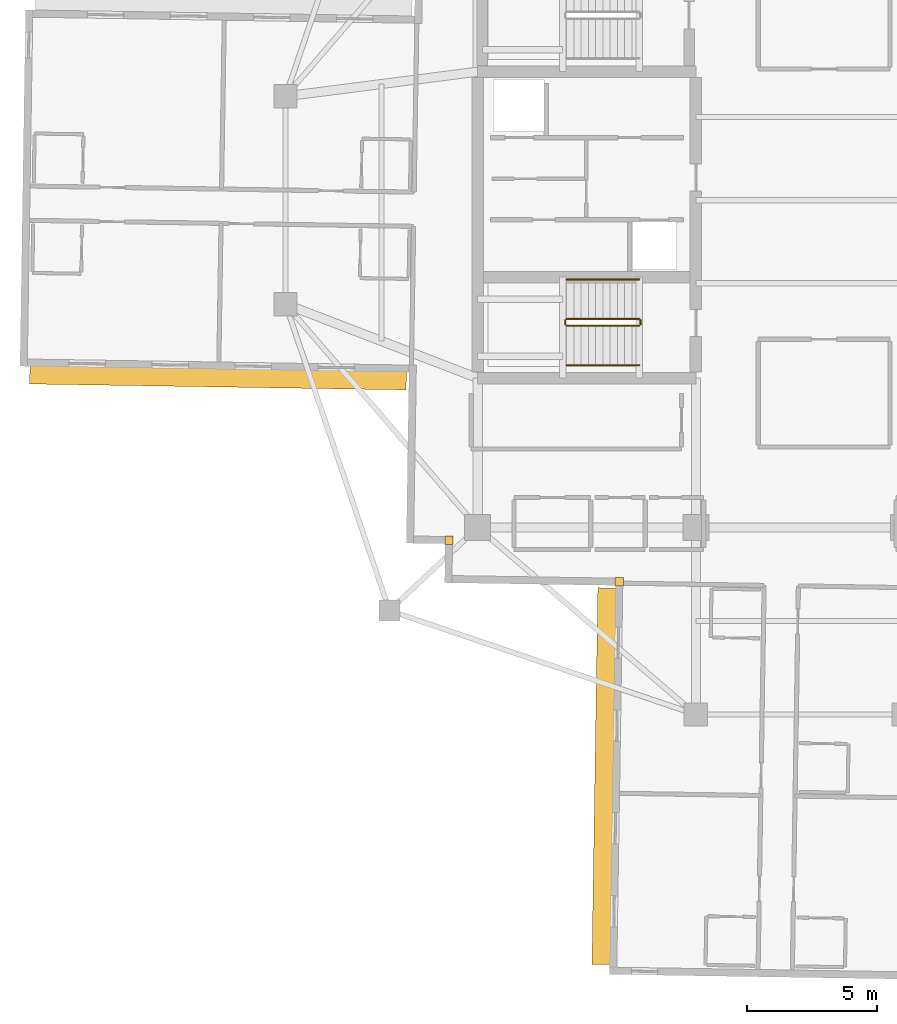
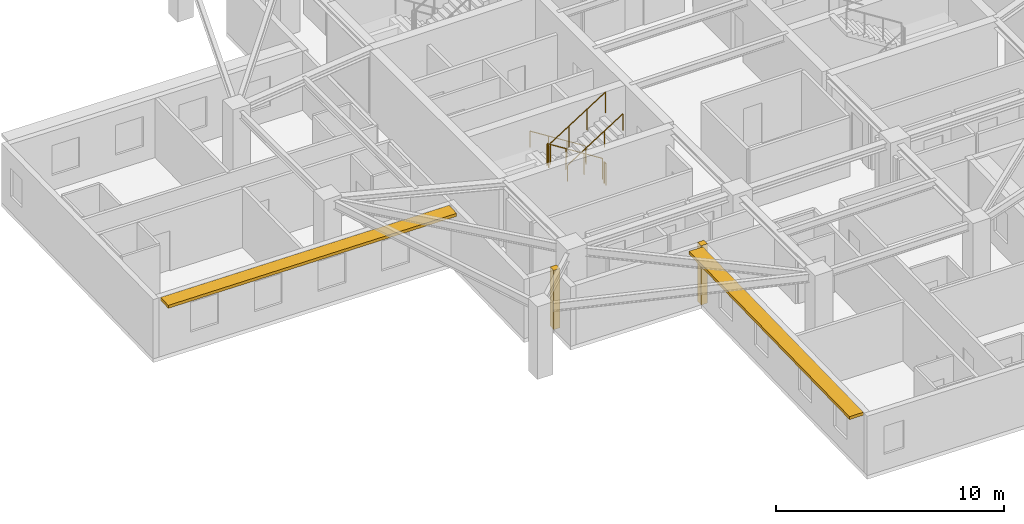
# One storey, part 10 of 13: 6 railings, 2 coverings, 2 shading devices.
"""IFC4 building model written with IfcOpenShell, lengths in metres."""

from ifc_helpers import new_model, si_unit, direction, frame, origin, origin_2d, place, context, subcontext, project, spatial, rectangle, circle, extrude, material, layer, layer_set, type_object, element, save


model = new_model("IFC4")

# Units and contexts
model_context = context("Model", 3, precision=1e-05, world=origin(), true_north=direction((0.0, 1.0)))
body_context = subcontext(model_context, "Body", "Model", "MODEL_VIEW")
ifc_project = project(units=[si_unit("LENGTHUNIT", "METRE"), si_unit("AREAUNIT", "SQUARE_METRE"), si_unit("VOLUMEUNIT", "CUBIC_METRE"), si_unit("PLANEANGLEUNIT", "RADIAN"), si_unit("MASSUNIT", "GRAM", prefix="KILO")], contexts=[model_context])

# Site, building, storey
site_placement = place(None, origin())
site = spatial("IfcSite", under=ifc_project, at=site_placement, CompositionType="ELEMENT")
building_placement = place(site_placement, origin())
building = spatial("IfcBuilding", under=site, at=building_placement, Name="Qingluan Cross Belvedere", CompositionType="ELEMENT")
storey_placement = place(building_placement, frame((0.0, 0.0, 228.60009765625)))
storey = spatial("IfcBuildingStorey", under=building, at=storey_placement, Name="L57", CompositionType="ELEMENT", Elevation=228.60009765625)

# Coverings
ifc_material_1 = material(Name="Precast concrete C45", Category="concrete")
ifc_layer_1 = layer(ifc_material_1, 0.1201171875, Name="ConcreteSpandrelCladding_120")
ifc_layer_set_1 = layer_set([ifc_layer_1], Name="Precast concrete C45")
covering_type = type_object("IfcCoveringType", Name="ConcreteSpandrelCladding_120", PredefinedType="CLADDING", material=ifc_layer_set_1)
for number, where, z_axis, x_axis, name in (
    (1, (-13.50732421875, -13.089599609375, 0.0), (0.0, 0.0, 1.0), (0.999876632482, -0.015707317312, 0.0), "Corner closure L57-SW1"),
    (2, (-6.95166015625, -14.692626953125, 0.0), (0.0, 0.0, 1.0), (0.999876632482, -0.015707317312, 0.0), "Corner closure L57-SW2"),
):
    element("IfcCovering", number, at=place(storey_placement, frame(where, z_axis=z_axis, x_axis=x_axis)), inside=storey, type_object=covering_type, Name=name, PredefinedType="CLADDING", context=body_context, shape_type="SweptSolid", body=[
        extrude(rectangle(XDim=0.320068359375, YDim=0.320068359375, at=origin_2d()), origin(), (0.0, 0.0, 1.0), 3.179931640625),
    ])

# Shading devices
ifc_material_2 = material(Name="Precast concrete C45", Category="concrete")
ifc_layer_2 = layer(ifc_material_2, 0.139892578125, Name="ConcreteSunshadeBand_700")
ifc_layer_set_2 = layer_set([ifc_layer_2], Name="Precast concrete C45")
shading_device_type = type_object("IfcShadingDeviceType", Name="ConcreteSunshadeBand_700", PredefinedType="USERDEFINED", material=ifc_layer_set_2)
for number, where, z_axis, x_axis, name in (
    (3, (-22.400146484375, -6.839111328125, 3.0), (0.0, 0.0, 1.0), (0.999876630106, -0.015707468526, 0.0), "Concrete SUNSHADE L57-WB"),
    (4, (-7.539306640625, -22.17431640625, 3.0), (0.0, 0.0, 1.0), (-0.015707468526, -0.999876630106, 0.0), "Concrete SUNSHADE L57-SA"),
):
    element("IfcShadingDevice", number, at=place(storey_placement, frame(where, z_axis=z_axis, x_axis=x_axis)), inside=storey, type_object=shading_device_type, Name=name, ObjectType="SUNSHADE", PredefinedType="USERDEFINED", context=body_context, shape_type="SweptSolid", body=[
        extrude(rectangle(XDim=14.5, YDim=0.699951171875, at=origin_2d()), origin(), (0.0, 0.0, 1.0), 0.159912109375),
    ])

# Railings
ifc_material_3 = material(Name="Brushed stainless steel tubular handrail", Category="steel")
railing_type_1 = type_object("IfcRailingType", Name="StairPitchHandrail_900", PredefinedType="HANDRAIL", material=ifc_material_3)
railing_1_placement = place(storey_placement, frame((-6.179931640625, -3.050048828125, 0.17724609375)))
element("IfcRailing", 5, at=railing_1_placement, inside=storey, type_object=railing_type_1, Name="L57 ST1 stair handrail 1", PredefinedType="HANDRAIL", context=body_context, shape_type="SweptSolid", body=[
    extrude(circle(Radius=0.02392578125, at=origin_2d()), frame((0.0, 0.0, 0.8759765625), z_axis=(-0.844908973607, 0.0, 0.534910110503), x_axis=(0.0, -1.0, 0.0)), (0.0, 0.0, 1.0), 3.31396484375),
    extrude(circle(Radius=0.02099609375, at=origin_2d()), origin(), (0.0, 0.0, 1.0), 0.851806640625),
    extrude(circle(Radius=0.02099609375, at=origin_2d()), frame((-0.933349609375, 0.0, 0.5908203125)), (0.0, 0.0, 1.0), 0.851806640625),
    extrude(circle(Radius=0.02099609375, at=origin_2d()), frame((-1.86669921875, 0.0, 1.181884765625)), (0.0, 0.0, 1.0), 0.851806640625),
    extrude(circle(Radius=0.02099609375, at=origin_2d()), frame((-2.800048828125, 0.0, 1.772705078125)), (0.0, 0.0, 1.0), 0.851806640625),
])
railing_2_placement = place(storey_placement, frame((-8.97998046875, -6.35009765625, 2.127197265625)))
element("IfcRailing", 6, at=railing_2_placement, inside=storey, type_object=railing_type_1, Name="L57 ST1 stair handrail 2", PredefinedType="HANDRAIL", context=body_context, shape_type="SweptSolid", body=[
    extrude(circle(Radius=0.02392578125, at=origin_2d()), frame((0.0, 0.0, 0.8759765625), z_axis=(0.844908973607, 0.0, 0.534910110503), x_axis=(0.0, 1.0, 0.0)), (0.0, 0.0, 1.0), 3.31396484375),
    extrude(circle(Radius=0.02099609375, at=origin_2d()), origin(), (0.0, 0.0, 1.0), 0.851806640625),
    extrude(circle(Radius=0.02099609375, at=origin_2d()), frame((0.933349609375, 0.0, 0.5908203125)), (0.0, 0.0, 1.0), 0.851806640625),
    extrude(circle(Radius=0.02099609375, at=origin_2d()), frame((1.86669921875, 0.0, 1.181884765625)), (0.0, 0.0, 1.0), 0.851806640625),
    extrude(circle(Radius=0.02099609375, at=origin_2d()), frame((2.800048828125, 0.0, 1.772705078125)), (0.0, 0.0, 1.0), 0.851806640625),
])
ifc_material_4 = material(Name="Painted steel stair well guard", Category="steel")
railing_type_2 = type_object("IfcRailingType", Name="StairWellGuard_1150", PredefinedType="BALUSTRADE", material=ifc_material_4)
railing_3_placement = place(storey_placement, frame((-6.179931640625, -4.570068359375, 0.17724609375)))
element("IfcRailing", 7, at=railing_3_placement, inside=storey, type_object=railing_type_2, Name="L57 ST1 stair guard 1", PredefinedType="BALUSTRADE", context=body_context, shape_type="SweptSolid", body=[
    extrude(circle(Radius=0.02392578125, at=origin_2d()), frame((0.0, 0.0, 1.1259765625), z_axis=(-0.844908973607, 0.0, 0.534910110503), x_axis=(0.0, -1.0, 0.0)), (0.0, 0.0, 1.0), 3.31396484375),
    extrude(circle(Radius=0.02099609375, at=origin_2d()), origin(), (0.0, 0.0, 1.0), 1.101806640625),
    extrude(circle(Radius=0.02099609375, at=origin_2d()), frame((-0.933349609375, 0.0, 0.5908203125)), (0.0, 0.0, 1.0), 1.101806640625),
    extrude(circle(Radius=0.02099609375, at=origin_2d()), frame((-1.86669921875, 0.0, 1.181884765625)), (0.0, 0.0, 1.0), 1.101806640625),
    extrude(circle(Radius=0.02099609375, at=origin_2d()), frame((-2.800048828125, 0.0, 1.772705078125)), (0.0, 0.0, 1.0), 1.101806640625),
])
railing_4_placement = place(storey_placement, frame((-9.030029296875, -4.6201171875, 1.949951171875)))
element("IfcRailing", 8, at=railing_4_placement, inside=storey, type_object=railing_type_2, Name="L57 ST1 stair guard 2", PredefinedType="BALUSTRADE", context=body_context, shape_type="SweptSolid", body=[
    extrude(circle(Radius=0.02392578125, at=origin_2d()), frame((0.0, 0.0, 1.1259765625), z_axis=(0.0, -1.0, 0.0), x_axis=(1.0, 0.0, 0.0)), (0.0, 0.0, 1.0), 0.159912109375),
    extrude(circle(Radius=0.02099609375, at=origin_2d()), origin(), (0.0, 0.0, 1.0), 1.101806640625),
    extrude(circle(Radius=0.02099609375, at=origin_2d()), frame((0.0, -0.159912109375, 0.0)), (0.0, 0.0, 1.0), 1.101806640625),
])
railing_5_placement = place(storey_placement, frame((-8.97998046875, -4.830078125, 2.127197265625)))
element("IfcRailing", 9, at=railing_5_placement, inside=storey, type_object=railing_type_2, Name="L57 ST1 stair guard 3", PredefinedType="BALUSTRADE", context=body_context, shape_type="SweptSolid", body=[
    extrude(circle(Radius=0.02392578125, at=origin_2d()), frame((0.0, 0.0, 1.1259765625), z_axis=(0.844908973607, 0.0, 0.534910110503), x_axis=(0.0, 1.0, 0.0)), (0.0, 0.0, 1.0), 3.31396484375),
    extrude(circle(Radius=0.02099609375, at=origin_2d()), origin(), (0.0, 0.0, 1.0), 1.101806640625),
    extrude(circle(Radius=0.02099609375, at=origin_2d()), frame((0.933349609375, 0.0, 0.5908203125)), (0.0, 0.0, 1.0), 1.101806640625),
    extrude(circle(Radius=0.02099609375, at=origin_2d()), frame((1.86669921875, 0.0, 1.181884765625)), (0.0, 0.0, 1.0), 1.101806640625),
    extrude(circle(Radius=0.02099609375, at=origin_2d()), frame((2.800048828125, 0.0, 1.772705078125)), (0.0, 0.0, 1.0), 1.101806640625),
])
railing_6_placement = place(storey_placement, frame((-6.1298828125, -4.6201171875, 0.0)))
element("IfcRailing", 10, at=railing_6_placement, inside=storey, type_object=railing_type_2, Name="L57 ST1 stair guard 4", PredefinedType="BALUSTRADE", context=body_context, shape_type="SweptSolid", body=[
    extrude(circle(Radius=0.02392578125, at=origin_2d()), frame((0.0, 0.0, 1.1259765625), z_axis=(0.0, -1.0, 0.0), x_axis=(1.0, 0.0, 0.0)), (0.0, 0.0, 1.0), 0.159912109375),
    extrude(circle(Radius=0.02099609375, at=origin_2d()), origin(), (0.0, 0.0, 1.0), 1.101806640625),
    extrude(circle(Radius=0.02099609375, at=origin_2d()), frame((0.0, -0.159912109375, 0.0)), (0.0, 0.0, 1.0), 1.101806640625),
])

save(model, "model.ifc")
